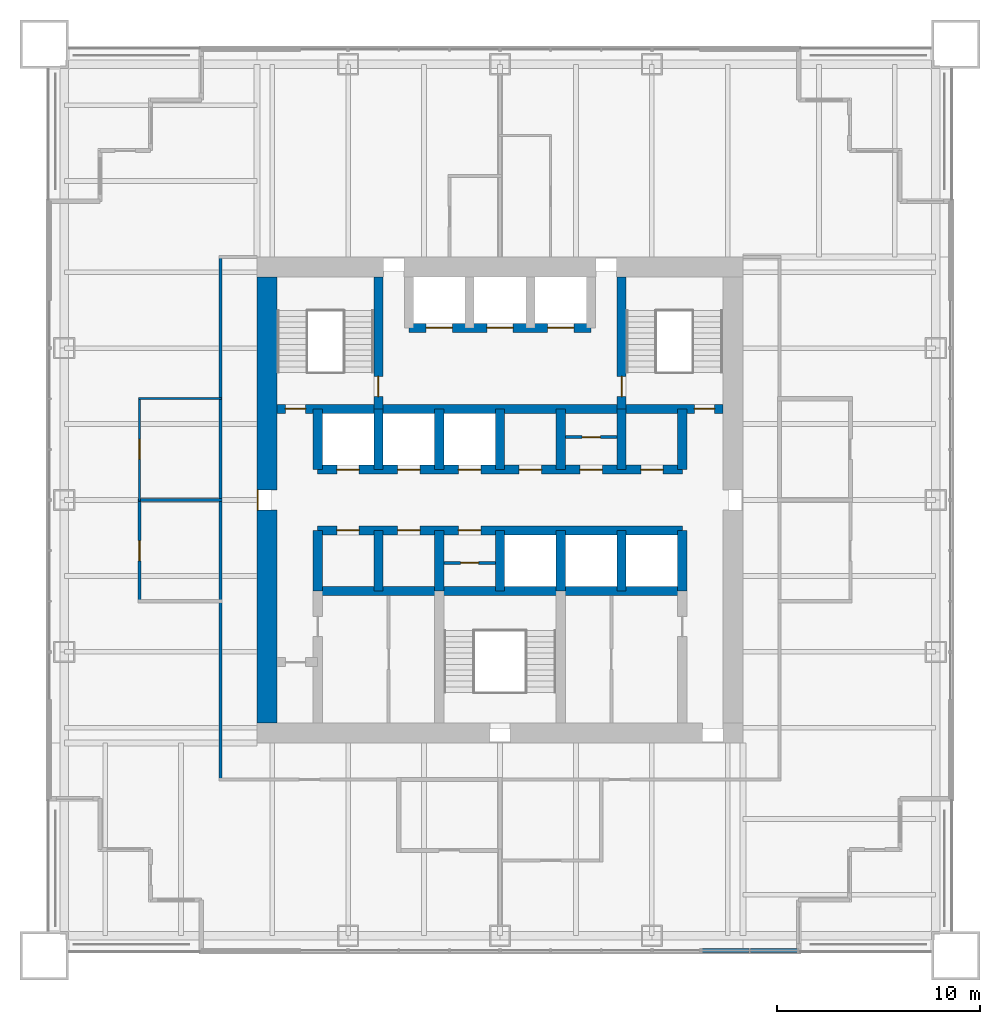
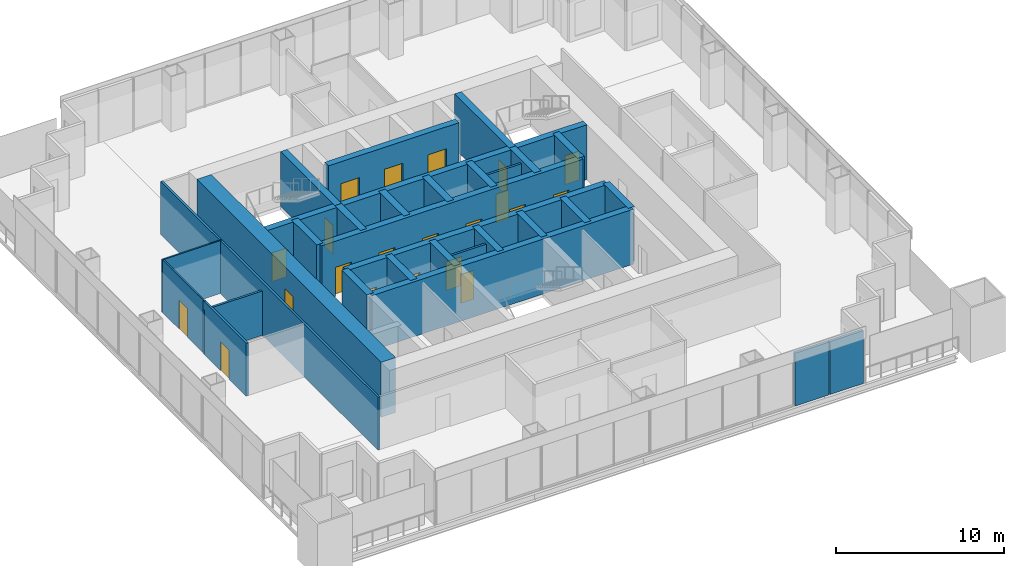
# One storey, part 9 of 13: 31 walls, 21 doors, 21 openings.
"""IFC4 building model written with IfcOpenShell, lengths in metres."""

import ifcopenshell
import ifcopenshell.guid

model = None  # the IFC model being written
_history = None  # IfcOwnerHistory: only IFC2X3 demands one
_inside = {}  # id of a spatial element -> (the spatial element, [elements in it])
_under = {}  # id of a project, library or spatial element -> (it, [spatial elements below it])
_declared = {}  # id of a project -> (the project, [libraries it declares])
_typed = {}  # id of a type object -> (the type object, [elements of that type])
_made_of = {}  # id of a material, layer set ... -> (it, [elements and type objects made of it])


def new_model(schema):
    """Start an empty IFC model of exactly this schema.

    Asked for "IFC4X3", IfcOpenShell would pick the latest addendum, in which some entities
    have other attributes; the version numbers below select the first issue.
    IFC2X3 requires an IfcOwnerHistory on every rooted entity: one is made here for all.
    """
    global model, _history
    if schema == "IFC4X3":
        model = ifcopenshell.file(schema_version=(4, 3, 0, 0))
    else:
        model = ifcopenshell.file(schema=schema)
    _inside.clear()
    _under.clear()
    _declared.clear()
    _typed.clear()
    _made_of.clear()
    _history = None
    if model.schema == "IFC2X3":
        org = make("IfcOrganization", Name="unknown")
        user = make(
            "IfcPersonAndOrganization",
            ThePerson=make("IfcPerson", FamilyName="unknown"),
            TheOrganization=org,
        )
        app = make(
            "IfcApplication",
            ApplicationDeveloper=org,
            Version="unknown",
            ApplicationFullName="unknown",
            ApplicationIdentifier="unknown",
        )
        _history = make(
            "IfcOwnerHistory",
            OwningUser=user,
            OwningApplication=app,
            ChangeAction="ADDED",
            CreationDate=0,
        )
    return model


def make(cls, **values):
    """One entity of the class cls with the attributes given. An attribute that is None is left unset."""
    return model.create_entity(
        cls, **{name: value for name, value in values.items() if value is not None}
    )


def rooted(cls, **values):
    """An entity with a GlobalId (a new one), such as an element, a storey or a relation."""
    return make(cls, GlobalId=ifcopenshell.guid.new(), OwnerHistory=_history, **values)


def si_unit(unit_type, name, prefix=None):
    """IfcSIUnit, for example si_unit("LENGTHUNIT", "METRE", prefix="MILLI")."""
    return make("IfcSIUnit", UnitType=unit_type, Prefix=prefix, Name=name)


def assignment(units):
    """IfcUnitAssignment: the units of a project."""
    return None if units is None else make("IfcUnitAssignment", Units=units)


def point(xyz):
    """IfcCartesianPoint."""
    return None if xyz is None else make("IfcCartesianPoint", Coordinates=xyz)


def direction(xyz):
    """IfcDirection."""
    return None if xyz is None else make("IfcDirection", DirectionRatios=xyz)


def frame(location, z_axis=None, x_axis=None):
    """IfcAxis2Placement3D, a coordinate frame: its origin and axes. An axis left out is left unset."""
    return make(
        "IfcAxis2Placement3D",
        Location=point(location),
        Axis=direction(z_axis),
        RefDirection=direction(x_axis),
    )


def frame_2d(location, x_axis=None):
    """IfcAxis2Placement2D, a coordinate frame in the plane: its origin and x axis."""
    return make(
        "IfcAxis2Placement2D", Location=point(location), RefDirection=direction(x_axis)
    )


def origin():
    """The frame at (0, 0, 0) with its axes left unset."""
    return frame((0.0, 0.0, 0.0))


def place(relative_to, where):
    """IfcLocalPlacement: puts the frame where relative to a parent placement (None: the world)."""
    return make(
        "IfcLocalPlacement", PlacementRelTo=relative_to, RelativePlacement=where
    )


def context(
    kind, dimensions, precision=None, world=None, true_north=None, identifier=None
):
    """IfcGeometricRepresentationContext, for example the 3D "Model" context."""
    return make(
        "IfcGeometricRepresentationContext",
        ContextIdentifier=identifier,
        ContextType=kind,
        CoordinateSpaceDimension=dimensions,
        Precision=precision,
        WorldCoordinateSystem=world,
        TrueNorth=true_north,
    )


def subcontext(parent, identifier, kind, view, scale=None):
    """IfcGeometricRepresentationSubContext, for example "Body" below "Model"."""
    return make(
        "IfcGeometricRepresentationSubContext",
        ContextIdentifier=identifier,
        ContextType=kind,
        ParentContext=parent,
        TargetScale=scale,
        TargetView=view,
    )


def project(units=None, contexts=None):
    """IfcProject with its units and contexts."""
    return rooted(
        "IfcProject",
        Name="project",
        RepresentationContexts=contexts,
        UnitsInContext=assignment(units),
    )


def spatial(cls, under=None, at=None, **own):
    """A site, building, storey or space (cls), placed at a placement, below another one or the project."""
    s = rooted(cls, ObjectPlacement=at, **own)
    if under is not None:
        _under.setdefault(under.id(), (under, []))[1].append(s)
    return s


def profile(cls, at=None, kind="AREA", **sizes):
    """A parametric profile (cls). Its sizes go by their IFC names, for example OverallWidth=200.0."""
    return make(cls, ProfileType=kind, Position=at, **sizes)


def rectangle(**sizes):
    """IfcRectangleProfileDef."""
    return profile("IfcRectangleProfileDef", **sizes)


def extrude(swept, where, along, depth):
    """IfcExtrudedAreaSolid: the profile swept, set in the frame where, extruded along a direction by depth."""
    return make(
        "IfcExtrudedAreaSolid",
        SweptArea=swept,
        Position=where,
        ExtrudedDirection=direction(along),
        Depth=depth,
    )


def shape(context_of_items, identifier, shape_type, items):
    """IfcShapeRepresentation: the items that make up one representation, for example the "Body"."""
    return make(
        "IfcShapeRepresentation",
        ContextOfItems=context_of_items,
        RepresentationIdentifier=identifier,
        RepresentationType=shape_type,
        Items=items,
    )


def material(Name=None, Category=None):
    """IfcMaterial."""
    return make("IfcMaterial", Name=Name, Category=Category)


def layer(
    of_material, thickness, ventilated=None, Name=None, Category=None, Priority=None
):
    """IfcMaterialLayer: one layer of a wall or slab, of a material (None: an air gap)."""
    return make(
        "IfcMaterialLayer",
        Material=of_material,
        LayerThickness=thickness,
        IsVentilated=ventilated,
        Name=Name,
        Category=Category,
        Priority=Priority,
    )


def layer_set(layers, Name=None):
    """IfcMaterialLayerSet."""
    return make("IfcMaterialLayerSet", MaterialLayers=layers, LayerSetName=Name)


def made_of(thing, what):
    """Note that an element or type object is made of a material, layer set ...; save() writes the relation."""
    if what is not None:
        _made_of.setdefault(what.id(), (what, []))[1].append(thing)
    return thing


def type_object(cls, material=None, **own):
    """A type object (cls), such as IfcWallType, which elements share."""
    return made_of(rooted(cls, **own), material)


def element(
    cls,
    number,
    at=None,
    inside=None,
    cuts=None,
    type_object=None,
    material=None,
    context=None,
    identifier="Body",
    shape_type=None,
    held_by="IfcProductDefinitionShape",
    body=None,
    shapes=None,
    **own,
):
    """One element of the class cls, such as IfcWall. Its Tag is "e" and its number.

    at: its placement. inside: the storey or other place that contains it. cuts: it is an
    opening in that element (IfcRelVoidsElement). A single representation is given by context,
    identifier, shape_type and body (its items); several are given by shapes. held_by: the class
    of the entity that holds the representations. save() writes the other relations.
    """
    e = rooted(cls, Tag="e%d" % number, ObjectPlacement=at, **own)
    if body is not None:
        shapes = [shape(context, identifier, shape_type, body)]
    if shapes is not None:
        e.Representation = make(held_by, Representations=shapes)
    if inside is not None:
        _inside.setdefault(inside.id(), (inside, []))[1].append(e)
    if cuts is not None:
        rooted(
            "IfcRelVoidsElement", RelatingBuildingElement=cuts, RelatedOpeningElement=e
        )
    if type_object is not None:
        _typed.setdefault(type_object.id(), (type_object, []))[1].append(e)
    return made_of(e, material)


def fill(opening, filler):
    """IfcRelFillsElement: the door or window that sits in an opening."""
    return rooted(
        "IfcRelFillsElement",
        RelatingOpeningElement=opening,
        RelatedBuildingElement=filler,
    )


def aggregate(whole, parts):
    """IfcRelAggregates: a whole, such as a stair, and the parts it consists of."""
    return rooted("IfcRelAggregates", RelatingObject=whole, RelatedObjects=parts)


def save(model, path):
    """Write the relations noted so far, then the file.

    IfcRelAggregates (storeys below a building ...), IfcRelContainedInSpatialStructure (elements
    in a storey), IfcRelDefinesByType, IfcRelAssociatesMaterial and IfcRelDeclares: one each for
    every whole, place, type object, material and project.
    """
    for whole, parts in _under.values():
        aggregate(whole, parts)
    for where, things in _inside.values():
        rooted(
            "IfcRelContainedInSpatialStructure",
            RelatedElements=things,
            RelatingStructure=where,
        )
    for kind, things in _typed.values():
        rooted("IfcRelDefinesByType", RelatedObjects=things, RelatingType=kind)
    for what, things in _made_of.values():
        rooted("IfcRelAssociatesMaterial", RelatedObjects=things, RelatingMaterial=what)
    for by, libraries in _declared.values():
        rooted("IfcRelDeclares", RelatingContext=by, RelatedDefinitions=libraries)
    model.write(path)


model = new_model("IFC4")

# Units and contexts
model_context = context("Model", 3, precision=1e-05, world=origin(), true_north=direction((0.0, 1.0)))
body_context = subcontext(model_context, "Body", "Model", "MODEL_VIEW")
ifc_project = project(units=[si_unit("LENGTHUNIT", "METRE"), si_unit("AREAUNIT", "SQUARE_METRE"), si_unit("VOLUMEUNIT", "CUBIC_METRE"), si_unit("PLANEANGLEUNIT", "RADIAN"), si_unit("MASSUNIT", "GRAM", prefix="KILO")], contexts=[model_context])

# Site, building, storey
site_placement = place(None, origin())
site = spatial("IfcSite", under=ifc_project, at=site_placement, CompositionType="ELEMENT")
building_placement = place(site_placement, origin())
building = spatial("IfcBuilding", under=site, at=building_placement, Name="Tarangal Relay Tower", CompositionType="ELEMENT")
storey_placement = place(building_placement, frame((0.0, 0.0, 221.89990234375)))
storey = spatial("IfcBuildingStorey", under=building, at=storey_placement, Name="L47", CompositionType="ELEMENT", Elevation=221.89990234375)

# Wall, openings, doors
ifc_material_1 = material(Name="Concrete fc' 60 MPa", Category="concrete")
ifc_layer_1 = layer(ifc_material_1, 0.449951171875)
ifc_layer_set_1 = layer_set([ifc_layer_1], Name="Core inner wall 450")
wall_type_1 = type_object("IfcWallType", Name="Core inner wall 450", PredefinedType="SHEAR", material=ifc_layer_set_1)
wall_1_placement = place(storey_placement, frame((-11.0, 4.5, 0.0), z_axis=(0.0, 0.0, 1.0), x_axis=(1.0, 0.0, 0.0)))
wall_1 = element("IfcWall", 1, at=wall_1_placement, inside=storey, type_object=wall_type_1, Name="Core wall Y45 L47", PredefinedType="SHEAR", context=body_context, shape_type="SweptSolid", body=[
    extrude(rectangle(XDim=22.0, YDim=0.449951171875, at=frame_2d((11.0, 0.0))), origin(), (0.0, 0.0, 1.0), 4.0),
])
opening_1_placement = place(wall_1_placement, frame((0.39990234375, 0.0, 0.0)))
opening_1 = element("IfcOpeningElement", 2, at=opening_1_placement, cuts=wall_1, Name="Opening FD1", PredefinedType="OPENING", context=body_context, shape_type="SweptSolid", body=[
    extrude(rectangle(XDim=1.0, YDim=2.10009765625, at=frame_2d((0.5, 1.050048828125))), frame((0.0, 0.23486328125, 0.0), z_axis=(0.0, -1.0, 0.0), x_axis=(1.0, 0.0, 0.0)), (0.0, 0.0, 1.0), 0.469970703125),
])
opening_2_placement = place(wall_1_placement, frame((20.60009765625, 0.0, 0.0)))
opening_2 = element("IfcOpeningElement", 3, at=opening_2_placement, cuts=wall_1, Name="Opening FD1", PredefinedType="OPENING", context=body_context, shape_type="SweptSolid", body=[
    extrude(rectangle(XDim=1.0, YDim=2.10009765625, at=frame_2d((0.5, 1.050048828125))), frame((0.0, 0.23486328125, 0.0), z_axis=(0.0, -1.0, 0.0), x_axis=(1.0, 0.0, 0.0)), (0.0, 0.0, 1.0), 0.469970703125),
])
ifc_material_2 = material(Name="Steel door with hardwood frame", Category="steel")
door_type_1 = type_object("IfcDoorType", Name="Fire door 1000 x 2100", OperationType="SINGLE_SWING_LEFT", PredefinedType="DOOR", material=ifc_material_2)
door_1_placement = place(opening_1_placement, origin())
door_1 = element("IfcDoor", 4, at=door_1_placement, inside=storey, type_object=door_type_1, Name="Stair ST-A door from corridor L47", OperationType="SINGLE_SWING_LEFT", OverallHeight=2.10009765625, OverallWidth=1.0, PredefinedType="DOOR", context=body_context, shape_type="SweptSolid", body=[
    extrude(rectangle(XDim=1.0, YDim=2.10009765625, at=frame_2d((0.5, 1.050048828125))), frame((0.0, 0.02490234375, 0.0), z_axis=(0.0, -1.0, 0.0), x_axis=(1.0, 0.0, 0.0)), (0.0, 0.0, 1.0), 0.050048828125),
])
fill(opening_1, door_1)
door_2_placement = place(opening_2_placement, origin())
door_2 = element("IfcDoor", 5, at=door_2_placement, inside=storey, type_object=door_type_1, Name="Stair ST-B door from corridor L47", OperationType="SINGLE_SWING_LEFT", OverallHeight=2.10009765625, OverallWidth=1.0, PredefinedType="DOOR", context=body_context, shape_type="SweptSolid", body=[
    extrude(rectangle(XDim=1.0, YDim=2.10009765625, at=frame_2d((0.5, 1.050048828125))), frame((0.0, 0.02490234375, 0.0), z_axis=(0.0, -1.0, 0.0), x_axis=(1.0, 0.0, 0.0)), (0.0, 0.0, 1.0), 0.050048828125),
])
fill(opening_2, door_2)

wall_2_placement = place(storey_placement, frame((-9.0, 1.5, 0.0), z_axis=(0.0, 0.0, 1.0), x_axis=(1.0, 0.0, 0.0)))
wall_2 = element("IfcWall", 6, at=wall_2_placement, inside=storey, type_object=wall_type_1, Name="Core wall Y15 L47", PredefinedType="SHEAR", context=body_context, shape_type="SweptSolid", body=[
    extrude(rectangle(XDim=18.0, YDim=0.449951171875, at=frame_2d((9.0, 0.0))), origin(), (0.0, 0.0, 1.0), 4.0),
])
opening_3_placement = place(wall_2_placement, frame((0.949951171875, 0.0, 0.0)))
opening_3 = element("IfcOpeningElement", 7, at=opening_3_placement, cuts=wall_2, Name="Opening LD1", PredefinedType="OPENING", context=body_context, shape_type="SweptSolid", body=[
    extrude(rectangle(XDim=1.10009765625, YDim=2.10009765625, at=frame_2d((0.550048828125, 1.050048828125))), frame((0.0, 0.23486328125, 0.0), z_axis=(0.0, -1.0, 0.0), x_axis=(1.0, 0.0, 0.0)), (0.0, 0.0, 1.0), 0.469970703125),
])
opening_4_placement = place(wall_2_placement, frame((3.949951171875, 0.0, 0.0)))
opening_4 = element("IfcOpeningElement", 8, at=opening_4_placement, cuts=wall_2, Name="Opening LD1", PredefinedType="OPENING", context=body_context, shape_type="SweptSolid", body=[
    extrude(rectangle(XDim=1.10009765625, YDim=2.10009765625, at=frame_2d((0.550048828125, 1.050048828125))), frame((0.0, 0.23486328125, 0.0), z_axis=(0.0, -1.0, 0.0), x_axis=(1.0, 0.0, 0.0)), (0.0, 0.0, 1.0), 0.469970703125),
])
opening_5_placement = place(wall_2_placement, frame((6.949951171875, 0.0, 0.0)))
opening_5 = element("IfcOpeningElement", 9, at=opening_5_placement, cuts=wall_2, Name="Opening LD1", PredefinedType="OPENING", context=body_context, shape_type="SweptSolid", body=[
    extrude(rectangle(XDim=1.10009765625, YDim=2.10009765625, at=frame_2d((0.550048828125, 1.050048828125))), frame((0.0, 0.23486328125, 0.0), z_axis=(0.0, -1.0, 0.0), x_axis=(1.0, 0.0, 0.0)), (0.0, 0.0, 1.0), 0.469970703125),
])
opening_6_placement = place(wall_2_placement, frame((9.949951171875, 0.0, 0.0)))
opening_6 = element("IfcOpeningElement", 10, at=opening_6_placement, cuts=wall_2, Name="Opening D4", PredefinedType="OPENING", context=body_context, shape_type="SweptSolid", body=[
    extrude(rectangle(XDim=1.10009765625, YDim=2.10009765625, at=frame_2d((0.550048828125, 1.050048828125))), frame((0.0, 0.23486328125, 0.0), z_axis=(0.0, -1.0, 0.0), x_axis=(1.0, 0.0, 0.0)), (0.0, 0.0, 1.0), 0.469970703125),
])
opening_7_placement = place(wall_2_placement, frame((12.949951171875, 0.0, 0.0)))
opening_7 = element("IfcOpeningElement", 11, at=opening_7_placement, cuts=wall_2, Name="Opening D4", PredefinedType="OPENING", context=body_context, shape_type="SweptSolid", body=[
    extrude(rectangle(XDim=1.10009765625, YDim=2.10009765625, at=frame_2d((0.550048828125, 1.050048828125))), frame((0.0, 0.23486328125, 0.0), z_axis=(0.0, -1.0, 0.0), x_axis=(1.0, 0.0, 0.0)), (0.0, 0.0, 1.0), 0.469970703125),
])
opening_8_placement = place(wall_2_placement, frame((15.949951171875, 0.0, 0.0)))
opening_8 = element("IfcOpeningElement", 12, at=opening_8_placement, cuts=wall_2, Name="Opening D4", PredefinedType="OPENING", context=body_context, shape_type="SweptSolid", body=[
    extrude(rectangle(XDim=1.10009765625, YDim=2.10009765625, at=frame_2d((0.550048828125, 1.050048828125))), frame((0.0, 0.23486328125, 0.0), z_axis=(0.0, -1.0, 0.0), x_axis=(1.0, 0.0, 0.0)), (0.0, 0.0, 1.0), 0.469970703125),
])
door_type_2 = type_object("IfcDoorType", Name="Core room door 1100 x 2100", OperationType="SINGLE_SWING_RIGHT", PredefinedType="DOOR", material=ifc_material_2)
door_3_placement = place(opening_6_placement, origin())
door_3 = element("IfcDoor", 13, at=door_3_placement, inside=storey, type_object=door_type_2, Name="Door D4 to staff wc L47-T1", OperationType="SINGLE_SWING_RIGHT", OverallHeight=2.10009765625, OverallWidth=1.10009765625, PredefinedType="DOOR", context=body_context, shape_type="SweptSolid", body=[
    extrude(rectangle(XDim=1.10009765625, YDim=2.10009765625, at=frame_2d((0.550048828125, 1.050048828125))), frame((0.0, 0.02490234375, 0.0), z_axis=(0.0, -1.0, 0.0), x_axis=(1.0, 0.0, 0.0)), (0.0, 0.0, 1.0), 0.050048828125),
])
fill(opening_6, door_3)
door_4_placement = place(opening_7_placement, origin())
door_4 = element("IfcDoor", 14, at=door_4_placement, inside=storey, type_object=door_type_2, Name="Door D4 to staff pantry L47-T2", OperationType="SINGLE_SWING_RIGHT", OverallHeight=2.10009765625, OverallWidth=1.10009765625, PredefinedType="DOOR", context=body_context, shape_type="SweptSolid", body=[
    extrude(rectangle(XDim=1.10009765625, YDim=2.10009765625, at=frame_2d((0.550048828125, 1.050048828125))), frame((0.0, 0.02490234375, 0.0), z_axis=(0.0, -1.0, 0.0), x_axis=(1.0, 0.0, 0.0)), (0.0, 0.0, 1.0), 0.050048828125),
])
fill(opening_7, door_4)
door_5_placement = place(opening_8_placement, origin())
door_5 = element("IfcDoor", 15, at=door_5_placement, inside=storey, type_object=door_type_2, Name="Door D4 to it room L47-T3", OperationType="SINGLE_SWING_RIGHT", OverallHeight=2.10009765625, OverallWidth=1.10009765625, PredefinedType="DOOR", context=body_context, shape_type="SweptSolid", body=[
    extrude(rectangle(XDim=1.10009765625, YDim=2.10009765625, at=frame_2d((0.550048828125, 1.050048828125))), frame((0.0, 0.02490234375, 0.0), z_axis=(0.0, -1.0, 0.0), x_axis=(1.0, 0.0, 0.0)), (0.0, 0.0, 1.0), 0.050048828125),
])
fill(opening_8, door_5)
door_type_3 = type_object("IfcDoorType", Name="Lift landing door 1100 x 2100", OperationType="SLIDING_TO_LEFT", PredefinedType="DOOR", material=ifc_material_2)
door_6_placement = place(opening_3_placement, origin())
door_6 = element("IfcDoor", 16, at=door_6_placement, inside=storey, type_object=door_type_3, Name="Lift OL1 landing door L47", OperationType="SLIDING_TO_LEFT", OverallHeight=2.10009765625, OverallWidth=1.10009765625, PredefinedType="DOOR", context=body_context, shape_type="SweptSolid", body=[
    extrude(rectangle(XDim=1.10009765625, YDim=2.10009765625, at=frame_2d((0.550048828125, 1.050048828125))), frame((0.0, 0.02490234375, 0.0), z_axis=(0.0, -1.0, 0.0), x_axis=(1.0, 0.0, 0.0)), (0.0, 0.0, 1.0), 0.050048828125),
])
fill(opening_3, door_6)
door_7_placement = place(opening_4_placement, origin())
door_7 = element("IfcDoor", 17, at=door_7_placement, inside=storey, type_object=door_type_3, Name="Lift OL2 landing door L47", OperationType="SLIDING_TO_LEFT", OverallHeight=2.10009765625, OverallWidth=1.10009765625, PredefinedType="DOOR", context=body_context, shape_type="SweptSolid", body=[
    extrude(rectangle(XDim=1.10009765625, YDim=2.10009765625, at=frame_2d((0.550048828125, 1.050048828125))), frame((0.0, 0.02490234375, 0.0), z_axis=(0.0, -1.0, 0.0), x_axis=(1.0, 0.0, 0.0)), (0.0, 0.0, 1.0), 0.050048828125),
])
fill(opening_4, door_7)
door_8_placement = place(opening_5_placement, origin())
door_8 = element("IfcDoor", 18, at=door_8_placement, inside=storey, type_object=door_type_3, Name="Lift OL3 landing door L47", OperationType="SLIDING_TO_LEFT", OverallHeight=2.10009765625, OverallWidth=1.10009765625, PredefinedType="DOOR", context=body_context, shape_type="SweptSolid", body=[
    extrude(rectangle(XDim=1.10009765625, YDim=2.10009765625, at=frame_2d((0.550048828125, 1.050048828125))), frame((0.0, 0.02490234375, 0.0), z_axis=(0.0, -1.0, 0.0), x_axis=(1.0, 0.0, 0.0)), (0.0, 0.0, 1.0), 0.050048828125),
])
fill(opening_5, door_8)

wall_3_placement = place(storey_placement, frame((-9.0, -1.5, 0.0), z_axis=(0.0, 0.0, 1.0), x_axis=(1.0, 0.0, 0.0)))
wall_3 = element("IfcWall", 19, at=wall_3_placement, inside=storey, type_object=wall_type_1, Name="Core wall YM15 L47", PredefinedType="SHEAR", context=body_context, shape_type="SweptSolid", body=[
    extrude(rectangle(XDim=18.0, YDim=0.449951171875, at=frame_2d((9.0, 0.0))), origin(), (0.0, 0.0, 1.0), 4.0),
])
opening_9_placement = place(wall_3_placement, frame((0.949951171875, 0.0, 0.0)))
opening_9 = element("IfcOpeningElement", 20, at=opening_9_placement, cuts=wall_3, Name="Opening D4", PredefinedType="OPENING", context=body_context, shape_type="SweptSolid", body=[
    extrude(rectangle(XDim=1.10009765625, YDim=2.10009765625, at=frame_2d((0.550048828125, 1.050048828125))), frame((0.0, 0.23486328125, 0.0), z_axis=(0.0, -1.0, 0.0), x_axis=(1.0, 0.0, 0.0)), (0.0, 0.0, 1.0), 0.469970703125),
])
opening_10_placement = place(wall_3_placement, frame((3.949951171875, 0.0, 0.0)))
opening_10 = element("IfcOpeningElement", 21, at=opening_10_placement, cuts=wall_3, Name="Opening D4", PredefinedType="OPENING", context=body_context, shape_type="SweptSolid", body=[
    extrude(rectangle(XDim=1.10009765625, YDim=2.10009765625, at=frame_2d((0.550048828125, 1.050048828125))), frame((0.0, 0.23486328125, 0.0), z_axis=(0.0, -1.0, 0.0), x_axis=(1.0, 0.0, 0.0)), (0.0, 0.0, 1.0), 0.469970703125),
])
opening_11_placement = place(wall_3_placement, frame((6.949951171875, 0.0, 0.0)))
opening_11 = element("IfcOpeningElement", 22, at=opening_11_placement, cuts=wall_3, Name="Opening D4", PredefinedType="OPENING", context=body_context, shape_type="SweptSolid", body=[
    extrude(rectangle(XDim=1.10009765625, YDim=2.10009765625, at=frame_2d((0.550048828125, 1.050048828125))), frame((0.0, 0.23486328125, 0.0), z_axis=(0.0, -1.0, 0.0), x_axis=(1.0, 0.0, 0.0)), (0.0, 0.0, 1.0), 0.469970703125),
])
door_9_placement = place(opening_9_placement, origin())
door_9 = element("IfcDoor", 23, at=door_9_placement, inside=storey, type_object=door_type_2, Name="Door D4 to cleaner's store L47-S1", OperationType="SINGLE_SWING_RIGHT", OverallHeight=2.10009765625, OverallWidth=1.10009765625, PredefinedType="DOOR", context=body_context, shape_type="SweptSolid", body=[
    extrude(rectangle(XDim=1.10009765625, YDim=2.10009765625, at=frame_2d((0.550048828125, 1.050048828125))), frame((0.0, 0.02490234375, 0.0), z_axis=(0.0, -1.0, 0.0), x_axis=(1.0, 0.0, 0.0)), (0.0, 0.0, 1.0), 0.050048828125),
])
fill(opening_9, door_9)
door_10_placement = place(opening_10_placement, origin())
door_10 = element("IfcDoor", 24, at=door_10_placement, inside=storey, type_object=door_type_2, Name="Door D4 to staff wc L47-S2", OperationType="SINGLE_SWING_RIGHT", OverallHeight=2.10009765625, OverallWidth=1.10009765625, PredefinedType="DOOR", context=body_context, shape_type="SweptSolid", body=[
    extrude(rectangle(XDim=1.10009765625, YDim=2.10009765625, at=frame_2d((0.550048828125, 1.050048828125))), frame((0.0, 0.02490234375, 0.0), z_axis=(0.0, -1.0, 0.0), x_axis=(1.0, 0.0, 0.0)), (0.0, 0.0, 1.0), 0.050048828125),
])
fill(opening_10, door_10)
door_11_placement = place(opening_11_placement, origin())
door_11 = element("IfcDoor", 25, at=door_11_placement, inside=storey, type_object=door_type_2, Name="Door D4 to staff pantry L47-S3", OperationType="SINGLE_SWING_RIGHT", OverallHeight=2.10009765625, OverallWidth=1.10009765625, PredefinedType="DOOR", context=body_context, shape_type="SweptSolid", body=[
    extrude(rectangle(XDim=1.10009765625, YDim=2.10009765625, at=frame_2d((0.550048828125, 1.050048828125))), frame((0.0, 0.02490234375, 0.0), z_axis=(0.0, -1.0, 0.0), x_axis=(1.0, 0.0, 0.0)), (0.0, 0.0, 1.0), 0.050048828125),
])
fill(opening_11, door_11)

# Wall
wall_4_placement = place(storey_placement, frame((-9.0, -4.5, 0.0), z_axis=(0.0, 0.0, 1.0), x_axis=(1.0, 0.0, 0.0)))
element("IfcWall", 26, at=wall_4_placement, inside=storey, type_object=wall_type_1, Name="Core wall YM45 L47", PredefinedType="SHEAR", context=body_context, shape_type="SweptSolid", body=[
    extrude(rectangle(XDim=18.0, YDim=0.449951171875, at=frame_2d((9.0, 0.0))), origin(), (0.0, 0.0, 1.0), 4.0),
])

# Wall, openings, doors
wall_5_placement = place(storey_placement, frame((-4.5, 8.5, 0.0), z_axis=(0.0, 0.0, 1.0), x_axis=(1.0, 0.0, 0.0)))
wall_5 = element("IfcWall", 27, at=wall_5_placement, inside=storey, type_object=wall_type_1, Name="Core wall Y85 L47", PredefinedType="SHEAR", context=body_context, shape_type="SweptSolid", body=[
    extrude(rectangle(XDim=9.0, YDim=0.449951171875, at=frame_2d((4.5, 0.0))), origin(), (0.0, 0.0, 1.0), 4.0),
])
opening_12_placement = place(wall_5_placement, frame((0.85009765625, 0.0, 0.0)))
opening_12 = element("IfcOpeningElement", 28, at=opening_12_placement, cuts=wall_5, Name="Opening LD2", PredefinedType="OPENING", context=body_context, shape_type="SweptSolid", body=[
    extrude(rectangle(XDim=1.300048828125, YDim=2.39990234375, at=frame_2d((0.64990234375, 1.199951171875))), frame((0.0, 0.23486328125, 0.0), z_axis=(0.0, -1.0, 0.0), x_axis=(1.0, 0.0, 0.0)), (0.0, 0.0, 1.0), 0.469970703125),
])
opening_13_placement = place(wall_5_placement, frame((6.85009765625, 0.0, 0.0)))
opening_13 = element("IfcOpeningElement", 29, at=opening_13_placement, cuts=wall_5, Name="Opening LD2", PredefinedType="OPENING", context=body_context, shape_type="SweptSolid", body=[
    extrude(rectangle(XDim=1.300048828125, YDim=2.39990234375, at=frame_2d((0.64990234375, 1.199951171875))), frame((0.0, 0.23486328125, 0.0), z_axis=(0.0, -1.0, 0.0), x_axis=(1.0, 0.0, 0.0)), (0.0, 0.0, 1.0), 0.469970703125),
])
opening_14_placement = place(wall_5_placement, frame((3.85009765625, 0.0, 0.0)))
opening_14 = element("IfcOpeningElement", 30, at=opening_14_placement, cuts=wall_5, Name="Opening LD2", PredefinedType="OPENING", context=body_context, shape_type="SweptSolid", body=[
    extrude(rectangle(XDim=1.300048828125, YDim=2.39990234375, at=frame_2d((0.64990234375, 1.199951171875))), frame((0.0, 0.23486328125, 0.0), z_axis=(0.0, -1.0, 0.0), x_axis=(1.0, 0.0, 0.0)), (0.0, 0.0, 1.0), 0.469970703125),
])
door_type_4 = type_object("IfcDoorType", Name="Lift landing door 1300 x 2400", OperationType="SLIDING_TO_LEFT", PredefinedType="DOOR", material=ifc_material_2)
door_12_placement = place(opening_12_placement, origin())
door_12 = element("IfcDoor", 31, at=door_12_placement, inside=storey, type_object=door_type_4, Name="Lift FF1 landing door L47", OperationType="SLIDING_TO_LEFT", OverallHeight=2.39990234375, OverallWidth=1.300048828125, PredefinedType="DOOR", context=body_context, shape_type="SweptSolid", body=[
    extrude(rectangle(XDim=1.300048828125, YDim=2.39990234375, at=frame_2d((0.64990234375, 1.199951171875))), frame((0.0, 0.02490234375, 0.0), z_axis=(0.0, -1.0, 0.0), x_axis=(1.0, 0.0, 0.0)), (0.0, 0.0, 1.0), 0.050048828125),
])
fill(opening_12, door_12)
door_13_placement = place(opening_13_placement, origin())
door_13 = element("IfcDoor", 32, at=door_13_placement, inside=storey, type_object=door_type_4, Name="Lift FF2 landing door L47", OperationType="SLIDING_TO_LEFT", OverallHeight=2.39990234375, OverallWidth=1.300048828125, PredefinedType="DOOR", context=body_context, shape_type="SweptSolid", body=[
    extrude(rectangle(XDim=1.300048828125, YDim=2.39990234375, at=frame_2d((0.64990234375, 1.199951171875))), frame((0.0, 0.02490234375, 0.0), z_axis=(0.0, -1.0, 0.0), x_axis=(1.0, 0.0, 0.0)), (0.0, 0.0, 1.0), 0.050048828125),
])
fill(opening_13, door_13)
door_14_placement = place(opening_14_placement, origin())
door_14 = element("IfcDoor", 33, at=door_14_placement, inside=storey, type_object=door_type_4, Name="Lift SV1 landing door L47", OperationType="SLIDING_TO_LEFT", OverallHeight=2.39990234375, OverallWidth=1.300048828125, PredefinedType="DOOR", context=body_context, shape_type="SweptSolid", body=[
    extrude(rectangle(XDim=1.300048828125, YDim=2.39990234375, at=frame_2d((0.64990234375, 1.199951171875))), frame((0.0, 0.02490234375, 0.0), z_axis=(0.0, -1.0, 0.0), x_axis=(1.0, 0.0, 0.0)), (0.0, 0.0, 1.0), 0.050048828125),
])
fill(opening_14, door_14)

# Walls
for number, where, z_axis, x_axis, name in (
    (34, (-9.0, 1.5, 0.0), (0.0, 0.0, 1.0), (0.0, 1.0, 0.0), "Core wall XM9N L47"),
    (35, (9.0, 1.5, 0.0), (0.0, 0.0, 1.0), (0.0, 1.0, 0.0), "Core wall X9N L47"),
    (36, (-9.0, -4.5, 0.0), (0.0, 0.0, 1.0), (0.0, 1.0, 0.0), "Core wall XM9S L47"),
    (37, (9.0, -4.5, 0.0), (0.0, 0.0, 1.0), (0.0, 1.0, 0.0), "Core wall X9S L47"),
    (38, (-6.0, 1.5, 0.0), (0.0, 0.0, 1.0), (0.0, 1.0, 0.0), "Core wall XM6N L47"),
    (39, (-3.0, 1.5, 0.0), (0.0, 0.0, 1.0), (0.0, 1.0, 0.0), "Core wall XM3N L47"),
    (40, (0.0, 1.5, 0.0), (0.0, 0.0, 1.0), (0.0, 1.0, 0.0), "Core wall X0N L47"),
    (41, (3.0, 1.5, 0.0), (0.0, 0.0, 1.0), (0.0, 1.0, 0.0), "Core wall X3N L47"),
    (42, (6.0, 1.5, 0.0), (0.0, 0.0, 1.0), (0.0, 1.0, 0.0), "Core wall X6N L47"),
    (43, (-6.0, -4.5, 0.0), (0.0, 0.0, 1.0), (0.0, 1.0, 0.0), "Core wall XM6S L47"),
    (44, (-3.0, -4.5, 0.0), (0.0, 0.0, 1.0), (0.0, 1.0, 0.0), "Core wall XM3S L47"),
    (45, (0.0, -4.5, 0.0), (0.0, 0.0, 1.0), (0.0, 1.0, 0.0), "Core wall X0S L47"),
    (46, (3.0, -4.5, 0.0), (0.0, 0.0, 1.0), (0.0, 1.0, 0.0), "Core wall X3S L47"),
    (47, (6.0, -4.5, 0.0), (0.0, 0.0, 1.0), (0.0, 1.0, 0.0), "Core wall X6S L47"),
):
    element("IfcWall", number, at=place(storey_placement, frame(where, z_axis=z_axis, x_axis=x_axis)), inside=storey, type_object=wall_type_1, Name=name, PredefinedType="SHEAR", context=body_context, shape_type="SweptSolid", body=[
        extrude(rectangle(XDim=3.0, YDim=0.449951171875, at=frame_2d((1.5, 0.0))), origin(), (0.0, 0.0, 1.0), 4.0),
    ])

# Wall, opening, door
wall_6_placement = place(storey_placement, frame((-6.0, 4.5, 0.0), z_axis=(0.0, 0.0, 1.0), x_axis=(0.0, 1.0, 0.0)))
wall_6 = element("IfcWall", 48, at=wall_6_placement, inside=storey, type_object=wall_type_1, Name="Core wall XM6 L47", PredefinedType="SHEAR", context=body_context, shape_type="SweptSolid", body=[
    extrude(rectangle(XDim=6.5, YDim=0.449951171875, at=frame_2d((3.25, 0.0))), origin(), (0.0, 0.0, 1.0), 4.0),
])
opening_15_placement = place(wall_6_placement, frame((0.60009765625, 0.0, 0.0)))
opening_15 = element("IfcOpeningElement", 49, at=opening_15_placement, cuts=wall_6, Name="Opening FD1", PredefinedType="OPENING", context=body_context, shape_type="SweptSolid", body=[
    extrude(rectangle(XDim=1.0, YDim=2.10009765625, at=frame_2d((0.5, 1.050048828125))), frame((0.0, 0.23486328125, 0.0), z_axis=(0.0, -1.0, 0.0), x_axis=(1.0, 0.0, 0.0)), (0.0, 0.0, 1.0), 0.469970703125),
])
door_15_placement = place(opening_15_placement, origin())
door_15 = element("IfcDoor", 50, at=door_15_placement, inside=storey, type_object=door_type_1, Name="Stair ST-A door from fire-fighting lobby L47", OperationType="SINGLE_SWING_LEFT", OverallHeight=2.10009765625, OverallWidth=1.0, PredefinedType="DOOR", context=body_context, shape_type="SweptSolid", body=[
    extrude(rectangle(XDim=1.0, YDim=2.10009765625, at=frame_2d((0.5, 1.050048828125))), frame((0.0, 0.02490234375, 0.0), z_axis=(0.0, -1.0, 0.0), x_axis=(1.0, 0.0, 0.0)), (0.0, 0.0, 1.0), 0.050048828125),
])
fill(opening_15, door_15)

wall_7_placement = place(storey_placement, frame((6.0, 4.5, 0.0), z_axis=(0.0, 0.0, 1.0), x_axis=(0.0, 1.0, 0.0)))
wall_7 = element("IfcWall", 51, at=wall_7_placement, inside=storey, type_object=wall_type_1, Name="Core wall X6 L47", PredefinedType="SHEAR", context=body_context, shape_type="SweptSolid", body=[
    extrude(rectangle(XDim=6.5, YDim=0.449951171875, at=frame_2d((3.25, 0.0))), origin(), (0.0, 0.0, 1.0), 4.0),
])
opening_16_placement = place(wall_7_placement, frame((0.60009765625, 0.0, 0.0)))
opening_16 = element("IfcOpeningElement", 52, at=opening_16_placement, cuts=wall_7, Name="Opening FD1", PredefinedType="OPENING", context=body_context, shape_type="SweptSolid", body=[
    extrude(rectangle(XDim=1.0, YDim=2.10009765625, at=frame_2d((0.5, 1.050048828125))), frame((0.0, 0.23486328125, 0.0), z_axis=(0.0, -1.0, 0.0), x_axis=(1.0, 0.0, 0.0)), (0.0, 0.0, 1.0), 0.469970703125),
])
door_16_placement = place(opening_16_placement, origin())
door_16 = element("IfcDoor", 53, at=door_16_placement, inside=storey, type_object=door_type_1, Name="Stair ST-B door from fire-fighting lobby L47", OperationType="SINGLE_SWING_LEFT", OverallHeight=2.10009765625, OverallWidth=1.0, PredefinedType="DOOR", context=body_context, shape_type="SweptSolid", body=[
    extrude(rectangle(XDim=1.0, YDim=2.10009765625, at=frame_2d((0.5, 1.050048828125))), frame((0.0, 0.02490234375, 0.0), z_axis=(0.0, -1.0, 0.0), x_axis=(1.0, 0.0, 0.0)), (0.0, 0.0, 1.0), 0.050048828125),
])
fill(opening_16, door_16)

ifc_layer_2 = layer(ifc_material_1, 1.0)
ifc_layer_set_2 = layer_set([ifc_layer_2], Name="Core wall 1000")
wall_type_2 = type_object("IfcWallType", Name="Core wall 1000", PredefinedType="SHEAR", material=ifc_layer_set_2)
wall_8_placement = place(storey_placement, frame((-11.5, -11.0, 0.0), z_axis=(0.0, 0.0, 1.0), x_axis=(0.0, 1.0, 0.0)))
wall_8 = element("IfcWall", 54, at=wall_8_placement, inside=storey, type_object=wall_type_2, Name="Core wall W L47", PredefinedType="SHEAR", context=body_context, shape_type="SweptSolid", body=[
    extrude(rectangle(XDim=22.0, YDim=1.0, at=frame_2d((11.0, 0.0))), origin(), (0.0, 0.0, 1.0), 4.0),
])
opening_17_placement = place(wall_8_placement, frame((10.5, 0.0, 0.0)))
opening_17 = element("IfcOpeningElement", 55, at=opening_17_placement, cuts=wall_8, Name="Opening FD3", PredefinedType="OPENING", context=body_context, shape_type="SweptSolid", body=[
    extrude(rectangle(XDim=1.0, YDim=2.39990234375, at=frame_2d((0.5, 1.199951171875))), frame((0.0, 0.510009765625, 0.0), z_axis=(0.0, -1.0, 0.0), x_axis=(1.0, 0.0, 0.0)), (0.0, 0.0, 1.0), 1.02001953125),
])
door_type_5 = type_object("IfcDoorType", Name="Fire door 1000 x 2400 core entry", OperationType="SINGLE_SWING_RIGHT", PredefinedType="DOOR", material=ifc_material_2)
door_17_placement = place(opening_17_placement, origin())
door_17 = element("IfcDoor", 56, at=door_17_placement, inside=storey, type_object=door_type_5, Name="Core entry door west L47", OperationType="SINGLE_SWING_RIGHT", OverallHeight=2.39990234375, OverallWidth=1.0, PredefinedType="DOOR", context=body_context, shape_type="SweptSolid", body=[
    extrude(rectangle(XDim=1.0, YDim=2.39990234375, at=frame_2d((0.5, 1.199951171875))), frame((0.0, 0.48486328125, 0.0), z_axis=(0.0, -1.0, 0.0), x_axis=(1.0, 0.0, 0.0)), (0.0, 0.0, 1.0), 0.050048828125),
])
fill(opening_17, door_17)

# Walls
ifc_material_3 = material(Name="Black metal clad insulated wall", Category="steel")
ifc_layer_3 = layer(ifc_material_3, 0.199951171875)
ifc_layer_set_3 = layer_set([ifc_layer_3], Name="Facade infill wall metal clad 200")
wall_type_3 = type_object("IfcWallType", Name="Facade infill wall metal clad 200", PredefinedType="SOLIDWALL", material=ifc_layer_set_3)
for number, where, z_axis, x_axis, name in (
    (57, (14.68505859375, -22.25, 0.0), (0.0, 0.0, 1.0), (-1.0, 0.0, 0.0), "Facade infill wall S facade L47 1.1"),
    (58, (12.30078125, -22.25, 0.0), (0.0, 0.0, 1.0), (-1.0, 0.0, 0.0), "Facade infill wall S facade L47 2.1"),
):
    element("IfcWall", number, at=place(storey_placement, frame(where, z_axis=z_axis, x_axis=x_axis)), inside=storey, type_object=wall_type_3, Name=name, PredefinedType="SOLIDWALL", context=body_context, shape_type="SweptSolid", body=[
        extrude(rectangle(XDim=2.319091796875, YDim=0.199951171875, at=frame_2d((1.15966796875, 0.0))), origin(), (0.0, 0.0, 1.0), 3.85009765625),
    ])
ifc_material_4 = material(Name="Double glazed aluminium framed partition", Category="aluminium")
ifc_layer_4 = layer(ifc_material_4, 0.10009765625)
ifc_layer_set_4 = layer_set([ifc_layer_4], Name="Glazed partition 100")
wall_type_4 = type_object("IfcWallType", Name="Glazed partition 100", PredefinedType="PARTITIONING", material=ifc_layer_set_4)
wall_9_placement = place(storey_placement, frame((-17.85009765625, 5.0, 0.0), z_axis=(0.0, 0.0, 1.0), x_axis=(1.0, 0.0, 0.0)))
element("IfcWall", 59, at=wall_9_placement, inside=storey, type_object=wall_type_4, Name="Partition PT3 L47", PredefinedType="PARTITIONING", context=body_context, shape_type="SweptSolid", body=[
    extrude(rectangle(XDim=4.10009765625, YDim=0.10009765625, at=frame_2d((2.050048828125, 0.0))), origin(), (0.0, 0.0, 1.0), 3.85009765625),
])

# Wall, opening, door
wall_10_placement = place(storey_placement, frame((-17.800048828125, -0.050048828125, 0.0), z_axis=(0.0, 0.0, 1.0), x_axis=(0.0, 1.0, 0.0)))
wall_10 = element("IfcWall", 60, at=wall_10_placement, inside=storey, type_object=wall_type_4, Name="Partition PT3 L47", PredefinedType="PARTITIONING", context=body_context, shape_type="SweptSolid", body=[
    extrude(rectangle(XDim=5.10009765625, YDim=0.10009765625, at=frame_2d((2.550048828125, 0.0))), origin(), (0.0, 0.0, 1.0), 3.85009765625),
])
opening_18_placement = place(wall_10_placement, frame((2.050048828125, 0.0, 0.0)))
opening_18 = element("IfcOpeningElement", 61, at=opening_18_placement, cuts=wall_10, Name="Opening D3", PredefinedType="OPENING", context=body_context, shape_type="SweptSolid", body=[
    extrude(rectangle(XDim=1.0, YDim=2.10009765625, at=frame_2d((0.5, 1.050048828125))), frame((0.0, 0.06005859375, 0.0), z_axis=(0.0, -1.0, 0.0), x_axis=(1.0, 0.0, 0.0)), (0.0, 0.0, 1.0), 0.1201171875),
])
ifc_material_5 = material(Name="Frameless glass door", Category="glass")
door_type_6 = type_object("IfcDoorType", Name="Glazed door 1000 x 2100", OperationType="SINGLE_SWING_LEFT", PredefinedType="DOOR", material=ifc_material_5)
door_18_placement = place(opening_18_placement, origin())
door_18 = element("IfcDoor", 62, at=door_18_placement, inside=storey, type_object=door_type_6, Name="Door D3 to meeting room L47-09", OperationType="SINGLE_SWING_LEFT", OverallHeight=2.10009765625, OverallWidth=1.0, PredefinedType="DOOR", context=body_context, shape_type="SweptSolid", body=[
    extrude(rectangle(XDim=1.0, YDim=2.10009765625, at=frame_2d((0.5, 1.050048828125))), frame((0.0, 0.02490234375, 0.0), z_axis=(0.0, -1.0, 0.0), x_axis=(1.0, 0.0, 0.0)), (0.0, 0.0, 1.0), 0.050048828125),
])
fill(opening_18, door_18)

# Wall
ifc_material_6 = material(Name="Gypsum board on steel studs", Category="steel")
ifc_layer_5 = layer(ifc_material_6, 0.14990234375)
ifc_layer_set_5 = layer_set([ifc_layer_5], Name="Partition 150")
wall_type_5 = type_object("IfcWallType", Name="Partition 150", PredefinedType="PARTITIONING", material=ifc_layer_set_5)
wall_11_placement = place(storey_placement, frame((-17.875, 0.0, 0.0), z_axis=(0.0, 0.0, 1.0), x_axis=(1.0, 0.0, 0.0)))
element("IfcWall", 63, at=wall_11_placement, inside=storey, type_object=wall_type_5, Name="Partition PT1 L47", PredefinedType="PARTITIONING", context=body_context, shape_type="SweptSolid", body=[
    extrude(rectangle(XDim=4.14990234375, YDim=0.14990234375, at=frame_2d((2.074951171875, 0.0))), origin(), (0.0, 0.0, 1.0), 3.238037109375),
])

# Wall, opening, door
wall_12_placement = place(storey_placement, frame((-17.800048828125, -5.074951171875, 0.0), z_axis=(0.0, 0.0, 1.0), x_axis=(0.0, 1.0, 0.0)))
wall_12 = element("IfcWall", 64, at=wall_12_placement, inside=storey, type_object=wall_type_5, Name="Partition PT1 L47", PredefinedType="PARTITIONING", context=body_context, shape_type="SweptSolid", body=[
    extrude(rectangle(XDim=5.14990234375, YDim=0.14990234375, at=frame_2d((2.574951171875, 0.0))), origin(), (0.0, 0.0, 1.0), 3.85009765625),
])
opening_19_placement = place(wall_12_placement, frame((2.074951171875, 0.0, 0.0)))
opening_19 = element("IfcOpeningElement", 65, at=opening_19_placement, cuts=wall_12, Name="Opening D2", PredefinedType="OPENING", context=body_context, shape_type="SweptSolid", body=[
    extrude(rectangle(XDim=1.0, YDim=2.10009765625, at=frame_2d((0.5, 1.050048828125))), frame((0.0, 0.0849609375, 0.0), z_axis=(0.0, -1.0, 0.0), x_axis=(1.0, 0.0, 0.0)), (0.0, 0.0, 1.0), 0.169921875),
])
ifc_material_7 = material(Name="Hardwood door", Category="wood")
door_type_7 = type_object("IfcDoorType", Name="Door 1000 x 2100", OperationType="SINGLE_SWING_LEFT", PredefinedType="DOOR", material=ifc_material_7)
door_19_placement = place(opening_19_placement, origin())
door_19 = element("IfcDoor", 66, at=door_19_placement, inside=storey, type_object=door_type_7, Name="Door D2 to print room L47-08", OperationType="SINGLE_SWING_LEFT", OverallHeight=2.10009765625, OverallWidth=1.0, PredefinedType="DOOR", context=body_context, shape_type="SweptSolid", body=[
    extrude(rectangle(XDim=1.0, YDim=2.10009765625, at=frame_2d((0.5, 1.050048828125))), frame((0.0, 0.02490234375, 0.0), z_axis=(0.0, -1.0, 0.0), x_axis=(1.0, 0.0, 0.0)), (0.0, 0.0, 1.0), 0.050048828125),
])
fill(opening_19, door_19)

# Wall
wall_13_placement = place(storey_placement, frame((-13.800048828125, -13.875, 0.0), z_axis=(0.0, 0.0, 1.0), x_axis=(0.0, 1.0, 0.0)))
element("IfcWall", 67, at=wall_13_placement, inside=storey, type_object=wall_type_5, Name="Partition PT1 L47", PredefinedType="PARTITIONING", context=body_context, shape_type="SweptSolid", body=[
    extrude(rectangle(XDim=25.949951171875, YDim=0.14990234375, at=frame_2d((12.97509765625, 0.0))), origin(), (0.0, 0.0, 1.0), 3.85009765625),
])

# Wall, opening, door
wall_14_placement = place(storey_placement, frame((3.22509765625, 3.10009765625, 0.0), z_axis=(0.0, 0.0, 1.0), x_axis=(1.0, 0.0, 0.0)))
wall_14 = element("IfcWall", 68, at=wall_14_placement, inside=storey, type_object=wall_type_5, Name="Partition PT1 L47", PredefinedType="PARTITIONING", context=body_context, shape_type="SweptSolid", body=[
    extrude(rectangle(XDim=2.5498046875, YDim=0.14990234375, at=frame_2d((1.27490234375, 0.0))), origin(), (0.0, 0.0, 1.0), 3.75),
])
opening_20_placement = place(wall_14_placement, frame((0.824951171875, 0.0, 0.0)))
opening_20 = element("IfcOpeningElement", 69, at=opening_20_placement, cuts=wall_14, Name="Opening D5", PredefinedType="OPENING", context=body_context, shape_type="SweptSolid", body=[
    extrude(rectangle(XDim=0.89990234375, YDim=2.10009765625, at=frame_2d((0.449951171875, 1.050048828125))), frame((0.0, 0.0849609375, 0.0), z_axis=(0.0, -1.0, 0.0), x_axis=(1.0, 0.0, 0.0)), (0.0, 0.0, 1.0), 0.169921875),
])
door_type_8 = type_object("IfcDoorType", Name="Cupboard door 900 x 2100", OperationType="SINGLE_SWING_LEFT", PredefinedType="DOOR", material=ifc_material_7)
door_20_placement = place(opening_20_placement, origin())
door_20 = element("IfcDoor", 70, at=door_20_placement, inside=storey, type_object=door_type_8, Name="Door D5 to pantry cupboard L47-T2B", OperationType="SINGLE_SWING_LEFT", OverallHeight=2.10009765625, OverallWidth=0.89990234375, PredefinedType="DOOR", context=body_context, shape_type="SweptSolid", body=[
    extrude(rectangle(XDim=0.89990234375, YDim=2.10009765625, at=frame_2d((0.449951171875, 1.050048828125))), frame((0.0, 0.02490234375, 0.0), z_axis=(0.0, -1.0, 0.0), x_axis=(1.0, 0.0, 0.0)), (0.0, 0.0, 1.0), 0.050048828125),
])
fill(opening_20, door_20)

wall_15_placement = place(storey_placement, frame((-2.77490234375, -3.10009765625, 0.0), z_axis=(0.0, 0.0, 1.0), x_axis=(1.0, 0.0, 0.0)))
wall_15 = element("IfcWall", 71, at=wall_15_placement, inside=storey, type_object=wall_type_5, Name="Partition PT1 L47", PredefinedType="PARTITIONING", context=body_context, shape_type="SweptSolid", body=[
    extrude(rectangle(XDim=2.5498046875, YDim=0.14990234375, at=frame_2d((1.27490234375, 0.0))), origin(), (0.0, 0.0, 1.0), 3.75),
])
opening_21_placement = place(wall_15_placement, frame((0.824951171875, 0.0, 0.0)))
opening_21 = element("IfcOpeningElement", 72, at=opening_21_placement, cuts=wall_15, Name="Opening D5", PredefinedType="OPENING", context=body_context, shape_type="SweptSolid", body=[
    extrude(rectangle(XDim=0.89990234375, YDim=2.10009765625, at=frame_2d((0.449951171875, 1.050048828125))), frame((0.0, 0.0849609375, 0.0), z_axis=(0.0, -1.0, 0.0), x_axis=(1.0, 0.0, 0.0)), (0.0, 0.0, 1.0), 0.169921875),
])
door_21_placement = place(opening_21_placement, origin())
door_21 = element("IfcDoor", 73, at=door_21_placement, inside=storey, type_object=door_type_8, Name="Door D5 to pantry cupboard L47-S3B", OperationType="SINGLE_SWING_LEFT", OverallHeight=2.10009765625, OverallWidth=0.89990234375, PredefinedType="DOOR", context=body_context, shape_type="SweptSolid", body=[
    extrude(rectangle(XDim=0.89990234375, YDim=2.10009765625, at=frame_2d((0.449951171875, 1.050048828125))), frame((0.0, 0.02490234375, 0.0), z_axis=(0.0, -1.0, 0.0), x_axis=(1.0, 0.0, 0.0)), (0.0, 0.0, 1.0), 0.050048828125),
])
fill(opening_21, door_21)

save(model, "model.ifc")
